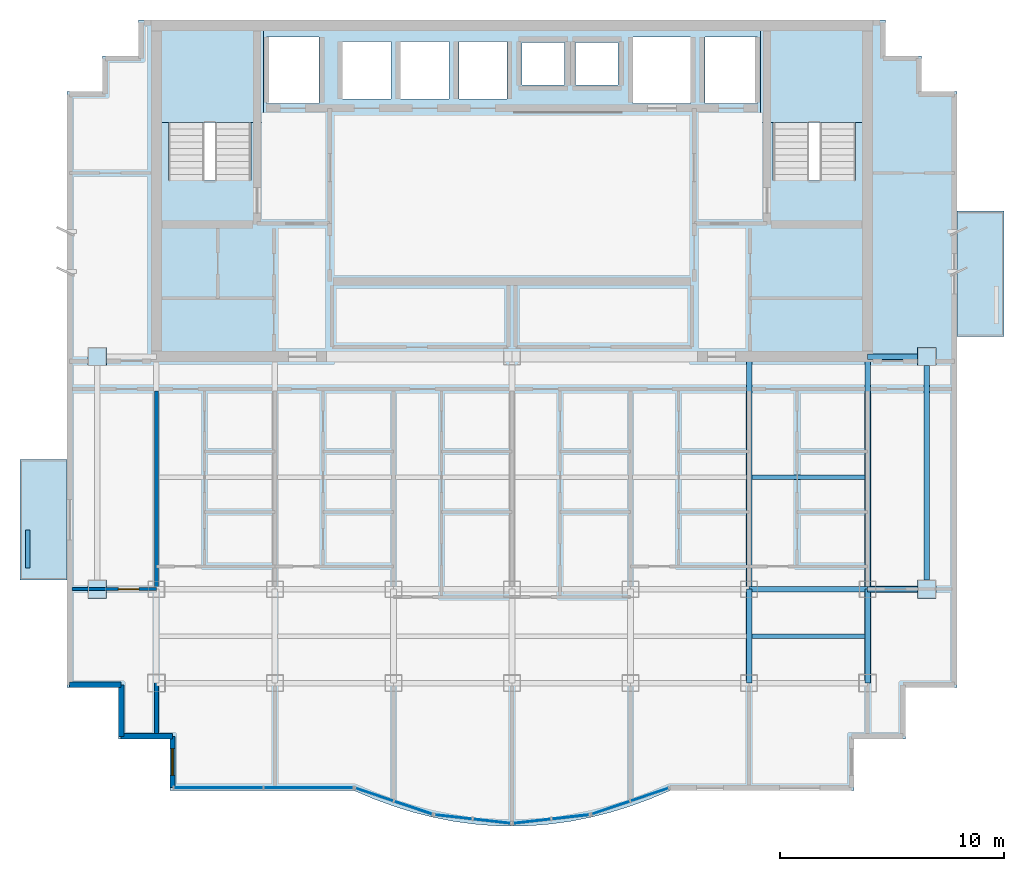
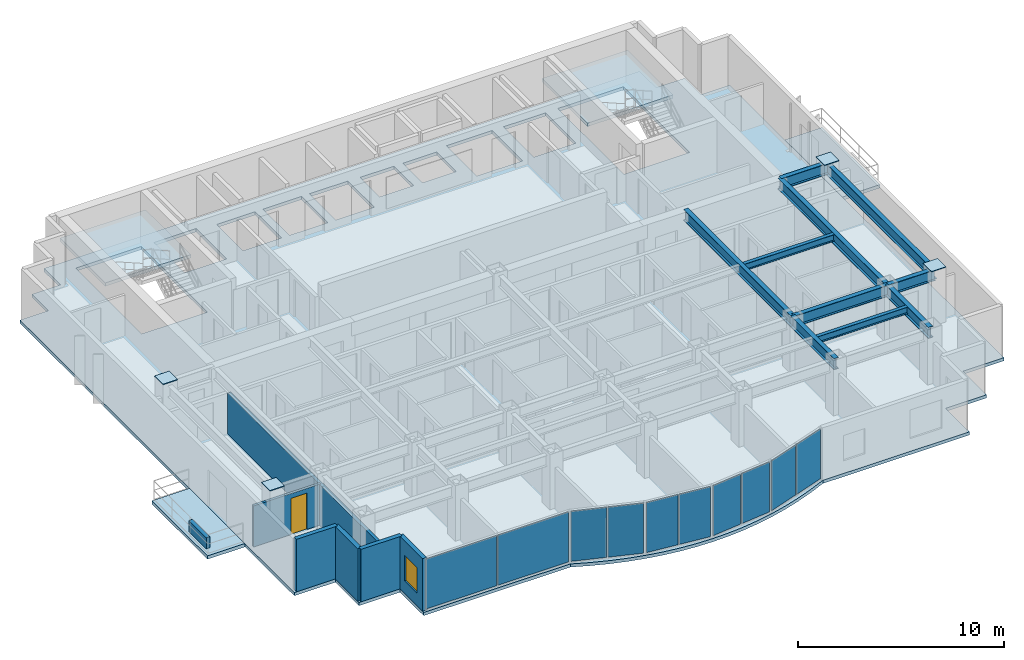
# One storey, part 3 of 9: 14 plates, 10 beams, 7 walls, 5 slabs, 1 door, 1 window, 2 openings, 7 elements without a shape of their own.
"""IFC4 building model written with IfcOpenShell, lengths in metres."""

from ifc_helpers import new_model, si_unit, direction, frame, frame_2d, origin, origin_2d, place, context, subcontext, project, spatial, polyline, rectangle, i_section, outline, extrude, source, transform, mapped, material, layer, layer_set, material_profile, profile_set, type_object, element, fill, aggregate, save


model = new_model("IFC4")

# Units and contexts
model_context = context("Model", 3, precision=1e-05, world=origin(), true_north=direction((0.0, 1.0)))
body_context = subcontext(model_context, "Body", "Model", "MODEL_VIEW")
ifc_project = project(units=[si_unit("LENGTHUNIT", "METRE"), si_unit("AREAUNIT", "SQUARE_METRE"), si_unit("VOLUMEUNIT", "CUBIC_METRE"), si_unit("PLANEANGLEUNIT", "RADIAN"), si_unit("MASSUNIT", "GRAM", prefix="KILO")], contexts=[model_context])

# Site, building, storey
site_placement = place(None, origin())
site = spatial("IfcSite", under=ifc_project, at=site_placement, CompositionType="ELEMENT")
building_placement = place(site_placement, origin())
building = spatial("IfcBuilding", under=site, at=building_placement, Name="Qianlan Lanfeng Residences", CompositionType="ELEMENT")
storey_placement = place(building_placement, frame((0.0, 0.0, 229.699951171875)))
storey = spatial("IfcBuildingStorey", under=building, at=storey_placement, Name="L63", CompositionType="ELEMENT", Elevation=229.699951171875)

# Beams
ifc_material_1 = material(Name="Steel SN490B", Category="steel")
ifc_material_profile_1 = material_profile(ifc_material_1, i_section(OverallWidth=0.25, OverallDepth=0.64990234375, WebThickness=0.012939453125, FlangeThickness=0.02197265625, at=origin_2d()), Name="H 650x250x13x22")
ifc_profile_set_1 = profile_set([ifc_material_profile_1], Name="Steel SN490B")
beam_type_1 = type_object("IfcBeamType", Name="G-650", PredefinedType="BEAM", material=ifc_profile_set_1)
beam_1_placement = place(storey_placement, frame((37.10009765625, 14.800048828125, 2.78515625), z_axis=(1.0, 0.0, 0.0), x_axis=(0.0, 1.0, 0.0)))
element("IfcBeam", 1, at=beam_1_placement, inside=storey, type_object=beam_type_1, Name="Structural beam G-650", PredefinedType="BEAM", context=body_context, shape_type="SweptSolid", body=[
    extrude(i_section(OverallWidth=0.25, OverallDepth=0.64990234375, WebThickness=0.012939453125, FlangeThickness=0.02197265625, at=origin_2d()), origin(), (0.0, 0.0, 1.0), 5.2998046875),
])
for number, where, z_axis, x_axis, name in (
    (2, (42.39990234375, 14.800048828125, 2.78515625), (1.0, 0.0, 0.0), (0.0, 1.0, 0.0), "Structural beam G-650"),
    (3, (42.39990234375, 25.199951171875, 2.78515625), (1.0, 0.0, 0.0), (0.0, 1.0, 0.0), "Structural beam G-650"),
):
    element("IfcBeam", number, at=place(storey_placement, frame(where, z_axis=z_axis, x_axis=x_axis)), inside=storey, type_object=beam_type_1, Name=name, PredefinedType="BEAM", context=body_context, shape_type="SweptSolid", body=[
        extrude(i_section(OverallWidth=0.25, OverallDepth=0.64990234375, WebThickness=0.012939453125, FlangeThickness=0.02197265625, at=origin_2d()), origin(), (0.0, 0.0, 1.0), 2.650146484375),
    ])
beam_2_placement = place(storey_placement, frame((37.10009765625, 10.60009765625, 2.78515625), z_axis=(0.0, 1.0, 0.0), x_axis=(-1.0, 0.0, 0.0)))
element("IfcBeam", 4, at=beam_2_placement, inside=storey, type_object=beam_type_1, Name="Structural beam G-650", PredefinedType="BEAM", context=body_context, shape_type="SweptSolid", body=[
    extrude(i_section(OverallWidth=0.25, OverallDepth=0.64990234375, WebThickness=0.012939453125, FlangeThickness=0.02197265625, at=origin_2d()), origin(), (0.0, 0.0, 1.0), 4.199951171875),
])
beam_3_placement = place(storey_placement, frame((37.10009765625, 14.800048828125, 2.78515625), z_axis=(0.0, 1.0, 0.0), x_axis=(-1.0, 0.0, 0.0)))
element("IfcBeam", 5, at=beam_3_placement, inside=storey, type_object=beam_type_1, Name="Structural beam G-650", PredefinedType="BEAM", context=body_context, shape_type="SweptSolid", body=[
    extrude(i_section(OverallWidth=0.25, OverallDepth=0.64990234375, WebThickness=0.012939453125, FlangeThickness=0.02197265625, at=origin_2d()), origin(), (0.0, 0.0, 1.0), 10.39990234375),
])
beam_4_placement = place(storey_placement, frame((42.39990234375, 10.60009765625, 2.78515625), z_axis=(0.0, 1.0, 0.0), x_axis=(-1.0, 0.0, 0.0)))
element("IfcBeam", 6, at=beam_4_placement, inside=storey, type_object=beam_type_1, Name="Structural beam G-650", PredefinedType="BEAM", context=body_context, shape_type="SweptSolid", body=[
    extrude(i_section(OverallWidth=0.25, OverallDepth=0.64990234375, WebThickness=0.012939453125, FlangeThickness=0.02197265625, at=origin_2d()), origin(), (0.0, 0.0, 1.0), 4.199951171875),
])
beam_5_placement = place(storey_placement, frame((42.39990234375, 14.800048828125, 2.78515625), z_axis=(0.0, 1.0, 0.0), x_axis=(-1.0, 0.0, 0.0)))
element("IfcBeam", 7, at=beam_5_placement, inside=storey, type_object=beam_type_1, Name="Structural beam G-650", PredefinedType="BEAM", context=body_context, shape_type="SweptSolid", body=[
    extrude(i_section(OverallWidth=0.25, OverallDepth=0.64990234375, WebThickness=0.012939453125, FlangeThickness=0.02197265625, at=origin_2d()), origin(), (0.0, 0.0, 1.0), 10.39990234375),
])
ifc_material_profile_2 = material_profile(ifc_material_1, i_section(OverallWidth=0.199951171875, OverallDepth=0.39990234375, WebThickness=0.008056640625, FlangeThickness=0.012939453125, at=origin_2d()), Name="H 400x200x8x13")
ifc_profile_set_2 = profile_set([ifc_material_profile_2], Name="Steel SN490B")
beam_type_2 = type_object("IfcBeamType", Name="J-400", PredefinedType="JOIST", material=ifc_profile_set_2)
for number, where, z_axis, x_axis, name in (
    (8, (37.22509765625, 12.699951171875, 2.91015625), (1.0, 0.0, 0.0), (0.0, 1.0, 0.0), "Structural beam J-400"),
    (9, (37.22509765625, 19.800048828125, 2.91015625), (1.0, 0.0, 0.0), (0.0, 1.0, 0.0), "Structural beam J-400"),
):
    element("IfcBeam", number, at=place(storey_placement, frame(where, z_axis=z_axis, x_axis=x_axis)), inside=storey, type_object=beam_type_2, Name=name, PredefinedType="JOIST", context=body_context, shape_type="SweptSolid", body=[
        extrude(i_section(OverallWidth=0.199951171875, OverallDepth=0.39990234375, WebThickness=0.008056640625, FlangeThickness=0.012939453125, at=origin_2d()), origin(), (0.0, 0.0, 1.0), 5.0498046875),
    ])
ifc_material_profile_3 = material_profile(ifc_material_1, i_section(OverallWidth=0.25, OverallDepth=0.64990234375, WebThickness=0.012939453125, FlangeThickness=0.02197265625, at=origin_2d()), Name="H 650x250x13x22")
ifc_profile_set_3 = profile_set([ifc_material_profile_3], Name="Steel SN490B")
beam_type_3 = type_object("IfcBeamType", Name="SG-650", PredefinedType="SPANDREL", material=ifc_profile_set_3)
beam_6_placement = place(storey_placement, frame((45.050048828125, 14.800048828125, 2.76513671875), z_axis=(0.0, 1.0, 0.0), x_axis=(-1.0, 0.0, 0.0)))
element("IfcBeam", 10, at=beam_6_placement, inside=storey, type_object=beam_type_3, Name="Structural beam SG-650", PredefinedType="SPANDREL", context=body_context, shape_type="SweptSolid", body=[
    extrude(i_section(OverallWidth=0.25, OverallDepth=0.64990234375, WebThickness=0.012939453125, FlangeThickness=0.02197265625, at=origin_2d()), origin(), (0.0, 0.0, 1.0), 10.39990234375),
])

# Slabs
ifc_material_2 = material(Name="Concrete C42", Category="concrete")
ifc_layer_1 = layer(ifc_material_2, 0.199951171875)
ifc_layer_set_1 = layer_set([ifc_layer_1], Name="Concrete C42")
slab_type_1 = type_object("IfcSlabType", Name="S-BAL-200", PredefinedType="FLOOR", material=ifc_layer_set_1)
slab_1_placement = place(storey_placement, frame((0.0, 0.0, -0.199951171875)))
element("IfcSlab", 11, at=slab_1_placement, inside=storey, type_object=slab_type_1, Name="L63 Planted Tree Balcony Slab WB-S", PredefinedType="FLOOR", context=body_context, shape_type="SweptSolid", body=[
    extrude(outline(polyline([(6.60009765625, 15.199951171875), (6.60009765625, 20.60009765625), (4.5, 20.60009765625), (4.5, 15.199951171875), (6.60009765625, 15.199951171875)])), origin(), (0.0, 0.0, 1.0), 0.199951171875),
])
slab_2_placement = place(storey_placement, frame((0.0, 0.0, -0.199951171875)))
element("IfcSlab", 12, at=slab_2_placement, inside=storey, type_object=slab_type_1, Name="L63 Planted Tree Balcony Slab EB-N", PredefinedType="FLOOR", context=body_context, shape_type="SweptSolid", body=[
    extrude(outline(polyline([(46.39990234375, 31.699951171875), (46.39990234375, 26.10009765625), (48.5, 26.10009765625), (48.5, 31.699951171875), (46.39990234375, 31.699951171875)])), origin(), (0.0, 0.0, 1.0), 0.199951171875),
])
ifc_layer_2 = layer(ifc_material_2, 0.18994140625)
ifc_layer_set_2 = layer_set([ifc_layer_2], Name="Concrete C42")
slab_type_2 = type_object("IfcSlabType", Name="S-FL-190", PredefinedType="FLOOR", material=ifc_layer_set_2)
slab_3_placement = place(storey_placement, frame((0.0, 0.0, -0.18994140625)))
element("IfcSlab", 13, at=slab_3_placement, inside=storey, type_object=slab_type_2, Name="L63 Structural Floor Slab", PredefinedType="FLOOR", context=body_context, shape_type="SweptSolid", body=[
    extrude(outline(polyline([(6.60009765625, 10.39990234375), (8.89990234375, 10.39990234375), (8.89990234375, 8.10009765625), (11.199951171875, 8.10009765625), (11.199951171875, 5.800048828125), (19.419921875, 5.800048828125), (20.304931640625, 5.425048828125), (21.18994140625, 5.10009765625), (22.074951171875, 4.824951171875), (22.9599609375, 4.60009765625), (23.844970703125, 4.425048828125), (24.72998046875, 4.300048828125), (25.614990234375, 4.22509765625), (26.5, 4.199951171875), (27.385009765625, 4.22509765625), (28.27001953125, 4.300048828125), (29.155029296875, 4.425048828125), (30.0400390625, 4.60009765625), (30.925048828125, 4.824951171875), (31.81005859375, 5.10009765625), (32.695068359375, 5.425048828125), (33.580078125, 5.800048828125), (41.800048828125, 5.800048828125), (41.800048828125, 8.10009765625), (44.10009765625, 8.10009765625), (44.10009765625, 10.39990234375), (46.39990234375, 10.39990234375), (46.39990234375, 37.050048828125), (44.800048828125, 37.050048828125), (44.800048828125, 38.64990234375), (43.199951171875, 38.64990234375), (43.199951171875, 40.25), (9.800048828125, 40.25), (9.800048828125, 38.64990234375), (8.199951171875, 38.64990234375), (8.199951171875, 37.050048828125), (6.60009765625, 37.050048828125), (6.60009765625, 10.39990234375)]), holes=[polyline([(11.139892578125, 33.080078125), (11.139892578125, 39.5), (14.820068359375, 39.5), (14.820068359375, 33.080078125), (11.139892578125, 33.080078125)]), polyline([(38.179931640625, 33.080078125), (38.179931640625, 39.5), (41.860107421875, 39.5), (41.860107421875, 33.080078125), (38.179931640625, 33.080078125)]), polyline([(15.52001953125, 36.52001953125), (15.52001953125, 39.47998046875), (17.8798828125, 39.47998046875), (17.8798828125, 36.52001953125), (15.52001953125, 36.52001953125)]), polyline([(35.1201171875, 36.52001953125), (35.1201171875, 39.47998046875), (37.47998046875, 39.47998046875), (37.47998046875, 36.52001953125), (35.1201171875, 36.52001953125)]), polyline([(31.919921875, 36.52001953125), (31.919921875, 39.47998046875), (34.47998046875, 39.47998046875), (34.47998046875, 36.52001953125), (31.919921875, 36.52001953125)]), polyline([(18.919921875, 36.719970703125), (18.919921875, 39.280029296875), (21.080078125, 39.280029296875), (21.080078125, 36.719970703125), (18.919921875, 36.719970703125)]), polyline([(21.52001953125, 36.719970703125), (21.52001953125, 39.280029296875), (23.679931640625, 39.280029296875), (23.679931640625, 36.719970703125), (21.52001953125, 36.719970703125)]), polyline([(24.1201171875, 36.719970703125), (24.1201171875, 39.280029296875), (26.280029296875, 39.280029296875), (26.280029296875, 36.719970703125), (24.1201171875, 36.719970703125)]), polyline([(26.949951171875, 37.35009765625), (26.949951171875, 39.25), (28.85009765625, 39.25), (28.85009765625, 37.35009765625), (26.949951171875, 37.35009765625)]), polyline([(29.35009765625, 37.35009765625), (29.35009765625, 39.25), (31.25, 39.25), (31.25, 37.35009765625), (29.35009765625, 37.35009765625)])]), origin(), (0.0, 0.0, 1.0), 0.18994140625),
])

# Stair, slab
stair_type = type_object("IfcStairType", Name="STR-MAIN", PredefinedType="HALF_TURN_STAIR", material=ifc_material_2)
stair_1_placement = place(storey_placement, origin())
stair_1 = element("IfcStair", 14, at=stair_1_placement, inside=storey, type_object=stair_type, Name="L63 Exit Stair ST-1", PredefinedType="HALF_TURN_STAIR")
ifc_layer_3 = layer(ifc_material_2, 0.179931640625)
ifc_layer_set_3 = layer_set([ifc_layer_3], Name="Concrete C42")
slab_type_3 = type_object("IfcSlabType", Name="S-LND-180", PredefinedType="LANDING", material=ifc_layer_set_3)
slab_4_placement = place(storey_placement, frame((0.0, 0.0, 1.449951171875)))
slab_4 = element("IfcSlab", 15, at=slab_4_placement, type_object=slab_type_3, Name="ST-1 landing 1", PredefinedType="LANDING", context=body_context, shape_type="SweptSolid", body=[
    extrude(outline(polyline([(10.580078125, 35.659912109375), (15.3798828125, 35.659912109375), (15.3798828125, 40.050048828125), (10.580078125, 40.050048828125), (10.580078125, 35.659912109375)])), origin(), (0.0, 0.0, 1.0), 0.2001953125),
])
aggregate(stair_1, [slab_4])

stair_2_placement = place(storey_placement, origin())
stair_2 = element("IfcStair", 16, at=stair_2_placement, inside=storey, type_object=stair_type, Name="L63 Exit Stair ST-2", PredefinedType="HALF_TURN_STAIR")
slab_5_placement = place(storey_placement, frame((0.0, 0.0, 1.449951171875)))
slab_5 = element("IfcSlab", 17, at=slab_5_placement, type_object=slab_type_3, Name="ST-2 landing 1", PredefinedType="LANDING", context=body_context, shape_type="SweptSolid", body=[
    extrude(outline(polyline([(37.6201171875, 35.659912109375), (42.419921875, 35.659912109375), (42.419921875, 40.050048828125), (37.6201171875, 40.050048828125), (37.6201171875, 35.659912109375)])), origin(), (0.0, 0.0, 1.0), 0.2001953125),
])
aggregate(stair_2, [slab_5])

# Plates
ifc_material_3 = material(Name="Steel SM570 (420 MPa)", Category="steel")
ifc_layer_4 = layer(ifc_material_3, 0.0400390625)
ifc_layer_set_4 = layer_set([ifc_layer_4], Name="Steel SM570 (420 MPa)")
plate_type_1 = type_object("IfcPlateType", Name="PL-CAP-40", PredefinedType="USERDEFINED", material=ifc_layer_set_4)
shared_shape_1 = source(origin(), body_context, "Body", "SweptSolid", [
    extrude(rectangle(XDim=0.820068359375, YDim=0.820068359375, at=origin_2d()), origin(), (0.0, 0.0, 1.0), 0.0400390625),
])
for number, where, z_axis, x_axis, name in (
    (18, (7.949951171875, 14.800048828125, 3.260009765625), (0.0, 0.0, 1.0), (1.0, 0.0, 0.0), "L63 Box Column Top Closure Cap Plate W_7.95_14.80"),
    (19, (7.949951171875, 25.199951171875, 3.260009765625), (0.0, 0.0, 1.0), (1.0, 0.0, 0.0), "L63 Box Column Top Closure Cap Plate W_7.95_25.20"),
    (20, (45.050048828125, 14.800048828125, 3.260009765625), (0.0, 0.0, 1.0), (1.0, 0.0, 0.0), "L63 Box Column Top Closure Cap Plate W_45.05_14.80"),
    (21, (45.050048828125, 25.199951171875, 3.260009765625), (0.0, 0.0, 1.0), (1.0, 0.0, 0.0), "L63 Box Column Top Closure Cap Plate W_45.05_25.20"),
):
    element("IfcPlate", number, at=place(storey_placement, frame(where, z_axis=z_axis, x_axis=x_axis)), inside=storey, type_object=plate_type_1, Name=name, ObjectType="SPLICE_PLATE", PredefinedType="USERDEFINED", context=body_context, shape_type="MappedRepresentation", body=[
        mapped(shared_shape_1, transform((0.0, 0.0, 0.0), scale=1.0)),
    ])

# Curtain wall, plates
ifc_material_4 = material(Name="Anodised Bronze Aluminium 6063-T6", Category="aluminium")
ifc_layer_5 = layer(ifc_material_4, 0.219970703125)
ifc_layer_set_5 = layer_set([ifc_layer_5], Name="Anodised Bronze Aluminium 6063-T6")
curtain_wall_type = type_object("IfcCurtainWallType", Name="CW-05", PredefinedType="NOTDEFINED", material=ifc_layer_set_5)
curtain_wall_1_placement = place(storey_placement, origin())
curtain_wall_1 = element("IfcCurtainWall", 22, at=curtain_wall_1_placement, inside=storey, type_object=curtain_wall_type, Name="L63 Unitised Curtain Wall CWR-L63-01 (CW-05)", PredefinedType="NOTDEFINED")
ifc_material_5 = material(Name="Clear Low-E Insulated Glass", Category="glass")
ifc_layer_6 = layer(ifc_material_5, 0.035888671875)
ifc_layer_set_6 = layer_set([ifc_layer_6], Name="Clear Low-E Insulated Glass")
plate_type_2 = type_object("IfcPlateType", Name="PNL-GLZ-CLR", PredefinedType="CURTAIN_PANEL", material=ifc_layer_set_6)
shared_shape_2 = source(origin(), body_context, "Body", "SweptSolid", [
    extrude(rectangle(XDim=3.951416015625, YDim=0.035888671875, at=origin_2d()), origin(), (0.0, 0.0, 1.0), 2.9619140625),
])
plate_1_placement = place(storey_placement, frame((13.36962890625, 5.919921875, 0.073974609375), z_axis=(0.0, 0.0, 1.0), x_axis=(1.0, 0.0, 0.0)))
plate_1 = element("IfcPlate", 23, at=plate_1_placement, type_object=plate_type_2, Name="CWR-L63-01 Curtain Panel 1", PredefinedType="CURTAIN_PANEL", context=body_context, shape_type="MappedRepresentation", body=[
    mapped(shared_shape_2, transform((0.0, 0.0, 0.0), scale=1.0)),
])
plate_2_placement = place(storey_placement, frame((17.394287109375, 5.919921875, 0.073974609375), z_axis=(0.0, 0.0, 1.0), x_axis=(1.0, 0.0, 0.0)))
plate_2 = element("IfcPlate", 24, at=plate_2_placement, type_object=plate_type_2, Name="CWR-L63-01 Curtain Panel 2", PredefinedType="CURTAIN_PANEL", context=body_context, shape_type="MappedRepresentation", body=[
    mapped(shared_shape_2, transform((0.0, 0.0, 0.0), scale=1.0)),
])
aggregate(curtain_wall_1, [plate_1, plate_2])

# Curtain wall, plate
curtain_wall_2_placement = place(storey_placement, origin())
curtain_wall_2 = element("IfcCurtainWall", 25, at=curtain_wall_2_placement, inside=storey, type_object=curtain_wall_type, Name="L63 Unitised Curtain Wall CWR-L63-02 (CW-05)", PredefinedType="NOTDEFINED")
shared_shape_3 = source(origin(), body_context, "Body", "SweptSolid", [
    extrude(rectangle(XDim=1.760009765625, YDim=0.035888671875, at=origin_2d()), origin(), (0.0, 0.0, 1.0), 2.9619140625),
])
plate_3_placement = place(storey_placement, frame((20.347412109375, 5.61328125, 0.073974609375), z_axis=(0.0, 0.0, 1.0), x_axis=(0.946876819797, -0.321596467845, 0.0)))
plate_3 = element("IfcPlate", 26, at=plate_3_placement, type_object=plate_type_2, Name="CWR-L63-02 Curtain Panel 1", PredefinedType="CURTAIN_PANEL", context=body_context, shape_type="MappedRepresentation", body=[
    mapped(shared_shape_3, transform((0.0, 0.0, 0.0), scale=1.0)),
])

curtain_wall_3_placement = place(storey_placement, origin())
curtain_wall_3 = element("IfcCurtainWall", 27, at=curtain_wall_3_placement, inside=storey, type_object=curtain_wall_type, Name="L63 Unitised Curtain Wall CWR-L63-05 (CW-05)", PredefinedType="NOTDEFINED")
plate_4_placement = place(storey_placement, frame((30.917236328125, 5.023681640625, 0.073974609375), z_axis=(0.0, 0.0, 1.0), x_axis=(0.946876819797, 0.321596467845, 0.0)))
plate_4 = element("IfcPlate", 28, at=plate_4_placement, type_object=plate_type_2, Name="CWR-L63-05 Curtain Panel 1", PredefinedType="CURTAIN_PANEL", context=body_context, shape_type="MappedRepresentation", body=[
    mapped(shared_shape_3, transform((0.0, 0.0, 0.0), scale=1.0)),
])

# Plate
ifc_material_6 = material(Name="Perforated Anodised Bronze Aluminium Panel", Category="aluminium")
ifc_layer_7 = layer(ifc_material_6, 0.0419921875)
ifc_layer_set_7 = layer_set([ifc_layer_7], Name="Perforated Anodised Bronze Aluminium Panel")
plate_type_3 = type_object("IfcPlateType", Name="PNL-PRF-BRZ", PredefinedType="CURTAIN_PANEL", material=ifc_layer_set_7)
shared_shape_4 = source(origin(), body_context, "Body", "SweptSolid", [
    extrude(rectangle(XDim=1.759765625, YDim=0.0419921875, at=origin_2d()), origin(), (0.0, 0.0, 1.0), 2.9619140625),
])
plate_5_placement = place(storey_placement, frame((22.082763671875, 5.023681640625, 0.073974609375), z_axis=(0.0, 0.0, 1.0), x_axis=(0.946876819797, -0.321596467845, 0.0)))
plate_5 = element("IfcPlate", 29, at=plate_5_placement, type_object=plate_type_3, Name="CWR-L63-02 Curtain Panel 2", PredefinedType="CURTAIN_PANEL", context=body_context, shape_type="MappedRepresentation", body=[
    mapped(shared_shape_4, transform((0.0, 0.0, 0.0), scale=1.0)),
])

aggregate(curtain_wall_2, [plate_3, plate_5])

# Curtain wall, plates
curtain_wall_4_placement = place(storey_placement, origin())
curtain_wall_4 = element("IfcCurtainWall", 30, at=curtain_wall_4_placement, inside=storey, type_object=curtain_wall_type, Name="L63 Unitised Curtain Wall CWR-L63-03 (CW-05)", PredefinedType="NOTDEFINED")
shared_shape_5 = source(origin(), body_context, "Body", "SweptSolid", [
    extrude(rectangle(XDim=1.65771484375, YDim=0.035888671875, at=origin_2d()), origin(), (0.0, 0.0, 1.0), 2.9619140625),
])
plate_6_placement = place(storey_placement, frame((23.883056640625, 4.615478515625, 0.073974609375), z_axis=(0.0, 0.0, 1.0), x_axis=(0.993678497778, -0.112263275625, 0.0)))
plate_6 = element("IfcPlate", 31, at=plate_6_placement, type_object=plate_type_2, Name="CWR-L63-03 Curtain Panel 1", PredefinedType="CURTAIN_PANEL", context=body_context, shape_type="MappedRepresentation", body=[
    mapped(shared_shape_5, transform((0.0, 0.0, 0.0), scale=1.0)),
])
plate_7_placement = place(storey_placement, frame((25.602783203125, 4.42138671875, 0.073974609375), z_axis=(0.0, 0.0, 1.0), x_axis=(0.993678497778, -0.112263275625, 0.0)))
plate_7 = element("IfcPlate", 32, at=plate_7_placement, type_object=plate_type_2, Name="CWR-L63-03 Curtain Panel 2", PredefinedType="CURTAIN_PANEL", context=body_context, shape_type="MappedRepresentation", body=[
    mapped(shared_shape_5, transform((0.0, 0.0, 0.0), scale=1.0)),
])
aggregate(curtain_wall_4, [plate_6, plate_7])

curtain_wall_5_placement = place(storey_placement, origin())
curtain_wall_5 = element("IfcCurtainWall", 33, at=curtain_wall_5_placement, inside=storey, type_object=curtain_wall_type, Name="L63 Unitised Curtain Wall CWR-L63-04 (CW-05)", PredefinedType="NOTDEFINED")
plate_8_placement = place(storey_placement, frame((27.397216796875, 4.42138671875, 0.073974609375), z_axis=(0.0, 0.0, 1.0), x_axis=(0.993678497778, 0.112263275625, 0.0)))
plate_8 = element("IfcPlate", 34, at=plate_8_placement, type_object=plate_type_2, Name="CWR-L63-04 Curtain Panel 1", PredefinedType="CURTAIN_PANEL", context=body_context, shape_type="MappedRepresentation", body=[
    mapped(shared_shape_5, transform((0.0, 0.0, 0.0), scale=1.0)),
])
shared_shape_6 = source(origin(), body_context, "Body", "SweptSolid", [
    extrude(rectangle(XDim=1.65771484375, YDim=0.0419921875, at=origin_2d()), origin(), (0.0, 0.0, 1.0), 2.9619140625),
])
plate_9_placement = place(storey_placement, frame((29.116943359375, 4.615478515625, 0.073974609375), z_axis=(0.0, 0.0, 1.0), x_axis=(0.993678497778, 0.112263275625, 0.0)))
plate_9 = element("IfcPlate", 35, at=plate_9_placement, type_object=plate_type_3, Name="CWR-L63-04 Curtain Panel 2", PredefinedType="CURTAIN_PANEL", context=body_context, shape_type="MappedRepresentation", body=[
    mapped(shared_shape_6, transform((0.0, 0.0, 0.0), scale=1.0)),
])
aggregate(curtain_wall_5, [plate_8, plate_9])

# Plate
shared_shape_7 = source(origin(), body_context, "Body", "SweptSolid", [
    extrude(rectangle(XDim=1.759765625, YDim=0.035888671875, at=origin_2d()), origin(), (0.0, 0.0, 1.0), 2.9619140625),
])
plate_10_placement = place(storey_placement, frame((32.65283203125, 5.61328125, 0.073974609375), z_axis=(0.0, 0.0, 1.0), x_axis=(0.946876819797, 0.321596467845, 0.0)))
plate_10 = element("IfcPlate", 36, at=plate_10_placement, type_object=plate_type_2, Name="CWR-L63-05 Curtain Panel 2", PredefinedType="CURTAIN_PANEL", context=body_context, shape_type="MappedRepresentation", body=[
    mapped(shared_shape_7, transform((0.0, 0.0, 0.0), scale=1.0)),
])

aggregate(curtain_wall_3, [plate_4, plate_10])

# Walls
ifc_layer_8 = layer(ifc_material_2, 0.239990234375)
ifc_layer_set_8 = layer_set([ifc_layer_8], Name="Concrete C42")
wall_type_1 = type_object("IfcWallType", Name="EW-240", PredefinedType="SOLIDWALL", material=ifc_layer_set_8)
for number, where, z_axis, x_axis, name in (
    (37, (6.719970703125, 10.52001953125, 0.0), (0.0, 0.0, 1.0), (1.0, 0.0, 0.0), "L63 Exterior Facade Spandrel Wall 1"),
    (38, (9.02001953125, 10.52001953125, 0.0), (0.0, 0.0, 1.0), (0.0, -1.0, 0.0), "L63 Exterior Facade Spandrel Wall 2"),
    (39, (9.02001953125, 8.219970703125, 0.0), (0.0, 0.0, 1.0), (1.0, 0.0, 0.0), "L63 Exterior Facade Spandrel Wall 3"),
):
    element("IfcWall", number, at=place(storey_placement, frame(where, z_axis=z_axis, x_axis=x_axis)), inside=storey, type_object=wall_type_1, Name=name, PredefinedType="SOLIDWALL", context=body_context, shape_type="SweptSolid", body=[
        extrude(rectangle(XDim=2.300048828125, YDim=0.239990234375, at=frame_2d((1.14990234375, 0.0))), origin(), (0.0, 0.0, 1.0), 3.110107421875),
    ])

# Wall, opening, window
wall_1_placement = place(storey_placement, frame((11.320068359375, 8.219970703125, 0.0), z_axis=(0.0, 0.0, 1.0), x_axis=(0.0, -1.0, 0.0)))
wall_1 = element("IfcWall", 40, at=wall_1_placement, inside=storey, type_object=wall_type_1, Name="L63 Exterior Facade Spandrel Wall 4", PredefinedType="SOLIDWALL", context=body_context, shape_type="SweptSolid", body=[
    extrude(rectangle(XDim=2.300048828125, YDim=0.239990234375, at=frame_2d((1.14990234375, 0.0))), origin(), (0.0, 0.0, 1.0), 3.110107421875),
])
opening_1_placement = place(wall_1_placement, frame((0.550048828125, 0.0, 0.75)))
opening_1 = element("IfcOpeningElement", 41, at=opening_1_placement, cuts=wall_1, Name="Opening W-03", PredefinedType="OPENING", context=body_context, shape_type="SweptSolid", body=[
    extrude(rectangle(XDim=1.199951171875, YDim=1.5, at=frame_2d((0.60009765625, 0.75))), frame((0.0, 0.1298828125, 0.0), z_axis=(0.0, -1.0, 0.0), x_axis=(1.0, 0.0, 0.0)), (0.0, 0.0, 1.0), 0.260009765625),
])
ifc_material_7 = material(Name="Anodised Bronze Aluminium Framed Double Glazing", Category="aluminium")
window_type = type_object("IfcWindowType", Name="W-03", PartitioningType="SINGLE_PANEL", PredefinedType="WINDOW", material=ifc_material_7)
window_placement = place(opening_1_placement, origin())
window = element("IfcWindow", 42, at=window_placement, inside=storey, type_object=window_type, Name="L63 Facade Punched Window W-03", OverallHeight=1.5, OverallWidth=1.199951171875, PartitioningType="SINGLE_PANEL", PredefinedType="WINDOW", context=body_context, shape_type="SweptSolid", body=[
    extrude(rectangle(XDim=1.199951171875, YDim=1.5, at=frame_2d((0.60009765625, 0.75))), frame((0.0, 0.030029296875, 0.0), z_axis=(0.0, -1.0, 0.0), x_axis=(1.0, 0.0, 0.0)), (0.0, 0.0, 1.0), 0.06005859375),
])
fill(opening_1, window)

# Wall
ifc_layer_9 = layer(ifc_material_2, 0.199951171875)
ifc_layer_set_9 = layer_set([ifc_layer_9], Name="Concrete C42")
wall_type_2 = type_object("IfcWallType", Name="PL-TREE-200", PredefinedType="PARAPET", material=ifc_layer_set_9)
wall_2_placement = place(storey_placement, frame((4.85009765625, 15.75, 0.0), z_axis=(0.0, 0.0, 1.0), x_axis=(0.0, 1.0, 0.0)))
element("IfcWall", 43, at=wall_2_placement, inside=storey, type_object=wall_type_2, Name="L63 West Tree Planter Curb WB-S", PredefinedType="PARAPET", context=body_context, shape_type="SweptSolid", body=[
    extrude(rectangle(XDim=1.699951171875, YDim=0.199951171875, at=frame_2d((0.85009765625, 0.0))), origin(), (0.0, 0.0, 1.0), 0.650146484375),
])

# Wall, opening, door
ifc_material_8 = material(Name="Moisture-Resistant Gypsum Partition 135 mm")
ifc_layer_10 = layer(ifc_material_8, 0.135009765625)
ifc_layer_set_10 = layer_set([ifc_layer_10], Name="Moisture-Resistant Gypsum Partition 135 mm")
wall_type_3 = type_object("IfcWallType", Name="PW-135", PredefinedType="PARTITIONING", material=ifc_layer_set_10)
wall_3_placement = place(storey_placement, frame((6.820068359375, 14.800048828125, 0.0), z_axis=(0.0, 0.0, 1.0), x_axis=(1.0, 0.0, 0.0)))
wall_3 = element("IfcWall", 44, at=wall_3_placement, inside=storey, type_object=wall_type_3, Name="L63 SWP Mid Partition", PredefinedType="PARTITIONING", context=body_context, shape_type="SweptSolid", body=[
    extrude(rectangle(XDim=3.780029296875, YDim=0.135009765625, at=frame_2d((1.89013671875, 0.0))), origin(), (0.0, 0.0, 1.0), 2.429931640625),
])
opening_2_placement = place(wall_3_placement, frame((2.080078125, 0.0, 0.0)))
opening_2 = element("IfcOpeningElement", 45, at=opening_2_placement, cuts=wall_3, Name="Opening L63-D48", PredefinedType="OPENING", context=body_context, shape_type="SweptSolid", body=[
    extrude(rectangle(XDim=0.919921875, YDim=2.14990234375, at=frame_2d((0.4599609375, 1.074951171875))), frame((0.0, 0.07763671875, 0.0), z_axis=(0.0, -1.0, 0.0), x_axis=(1.0, 0.0, 0.0)), (0.0, 0.0, 1.0), 0.155029296875),
])
ifc_material_9 = material(Name="Glazed Timber Kitchen/Study Door", Category="wood")
door_type = type_object("IfcDoorType", Name="DT-INT", OperationType="NOTDEFINED", PredefinedType="DOOR", material=ifc_material_9)
door_placement = place(opening_2_placement, origin())
door = element("IfcDoor", 46, at=door_placement, inside=storey, type_object=door_type, Name="L63 SWP Inner Door L63-D48 (DT-INT)", OperationType="SINGLE_SWING_LEFT", OverallHeight=2.14990234375, OverallWidth=0.919921875, PredefinedType="DOOR", context=body_context, shape_type="SweptSolid", body=[
    extrude(rectangle(XDim=0.919921875, YDim=2.14990234375, at=frame_2d((0.4599609375, 1.074951171875))), frame((0.0, 0.02490234375, 0.0), z_axis=(0.0, -1.0, 0.0), x_axis=(1.0, 0.0, 0.0)), (0.0, 0.0, 1.0), 0.050048828125),
])
fill(opening_2, door)

# Wall
ifc_material_10 = material(Name="Double-Layer Acoustic Gypsum Stud Wall 180 mm")
ifc_layer_11 = layer(ifc_material_10, 0.179931640625)
ifc_layer_set_11 = layer_set([ifc_layer_11], Name="Double-Layer Acoustic Gypsum Stud Wall 180 mm")
wall_type_4 = type_object("IfcWallType", Name="PW-180", PredefinedType="PARTITIONING", material=ifc_layer_set_11)
wall_4_placement = place(storey_placement, frame((10.60009765625, 8.320068359375, 0.0), z_axis=(0.0, 0.0, 1.0), x_axis=(0.0, 1.0, 0.0)))
element("IfcWall", 47, at=wall_4_placement, inside=storey, type_object=wall_type_4, Name="L63 Wing Boundary Party Wall W0", PredefinedType="PARTITIONING", context=body_context, shape_type="SweptSolid", body=[
    extrude(rectangle(XDim=15.329833984375, YDim=0.179931640625, at=frame_2d((7.6650390625, 0.0))), origin(), (0.0, 0.0, 1.0), 2.429931640625),
])

save(model, "model.ifc")
